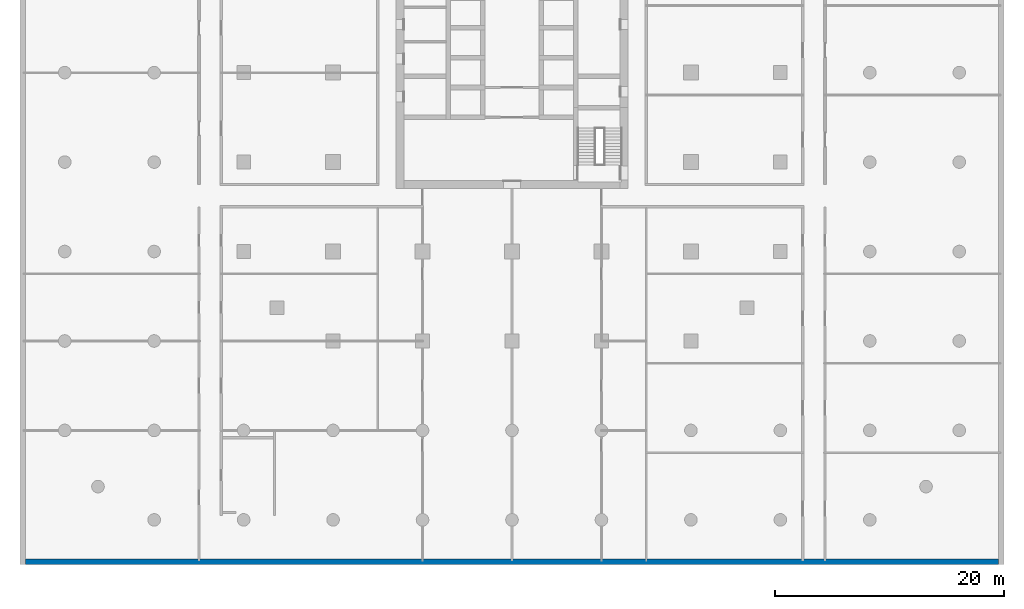
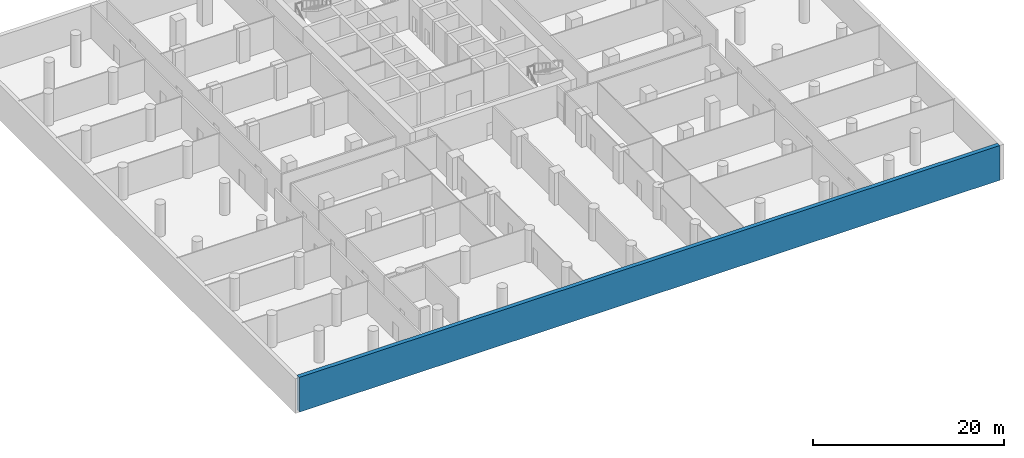
# One storey, part 3 of 14: 1 wall.
"""IFC4 building model written with IfcOpenShell, lengths in metres."""

from ifc_helpers import new_model, si_unit, direction, frame, frame_2d, origin, place, context, subcontext, project, spatial, rectangle, extrude, material, layer, layer_set, type_object, element, save


model = new_model("IFC4")

# Units and contexts
model_context = context("Model", 3, precision=1e-05, world=origin(), true_north=direction((0.0, 1.0)))
body_context = subcontext(model_context, "Body", "Model", "MODEL_VIEW")
ifc_project = project(units=[si_unit("LENGTHUNIT", "METRE"), si_unit("AREAUNIT", "SQUARE_METRE"), si_unit("VOLUMEUNIT", "CUBIC_METRE"), si_unit("PLANEANGLEUNIT", "RADIAN"), si_unit("MASSUNIT", "GRAM", prefix="KILO")], contexts=[model_context])

# Site, building, storey
site_placement = place(None, origin())
site = spatial("IfcSite", under=ifc_project, at=site_placement, CompositionType="ELEMENT")
building_placement = place(site_placement, origin())
building = spatial("IfcBuilding", under=site, at=building_placement, Name="Ludao Terraces", CompositionType="ELEMENT")
storey_placement = place(building_placement, frame((0.0, 0.0, -4.5)))
storey = spatial("IfcBuildingStorey", under=building, at=storey_placement, Name="B1", CompositionType="ELEMENT", Elevation=-4.5)

# Wall
ifc_material = material(Name="Concrete C40", Category="concrete")
ifc_layer = layer(ifc_material, 0.5)
ifc_layer_set = layer_set([ifc_layer], Name="Basement wall 500 C40")
wall_type = type_object("IfcWallType", Name="Basement wall 500 C40", PredefinedType="SOLIDWALL", material=ifc_layer_set)
wall_placement = place(storey_placement, frame((42.60009765625, 22.35009765625, -0.35009765625), z_axis=(0.0, 0.0, 1.0), x_axis=(1.0, 0.0, 0.0)))
element("IfcWall", 1, at=wall_placement, inside=storey, type_object=wall_type, Name="Basement wall S B1", PredefinedType="SOLIDWALL", context=body_context, shape_type="SweptSolid", body=[
    extrude(rectangle(XDim=84.7998046875, YDim=0.5, at=frame_2d((42.39990234375, 0.0))), origin(), (0.0, 0.0, 1.0), 4.4501953125),
])

save(model, "model.ifc")
